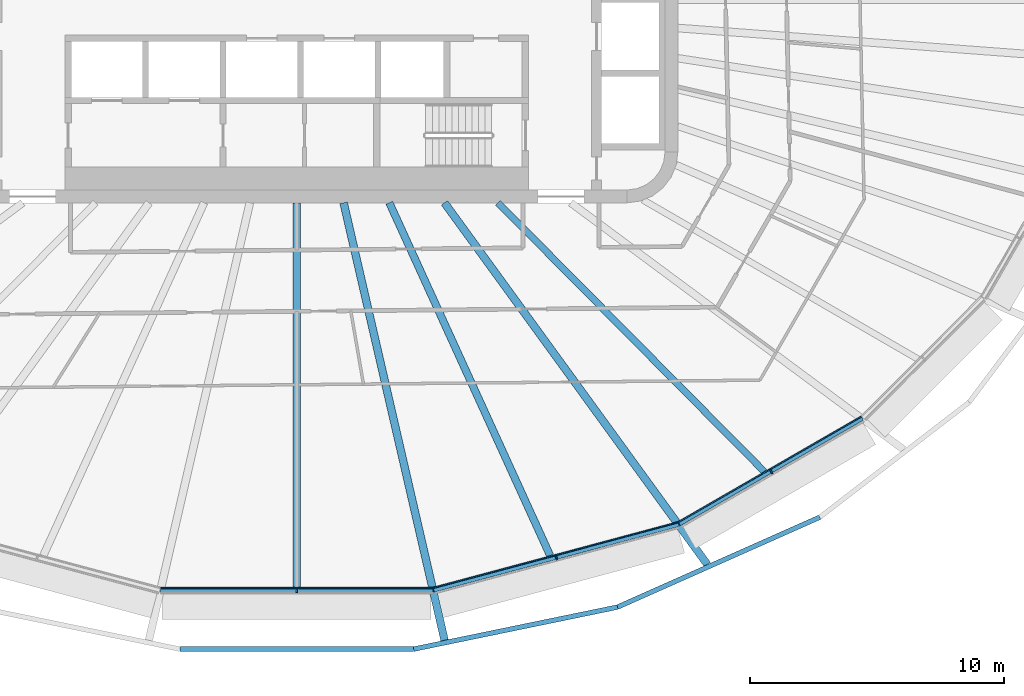
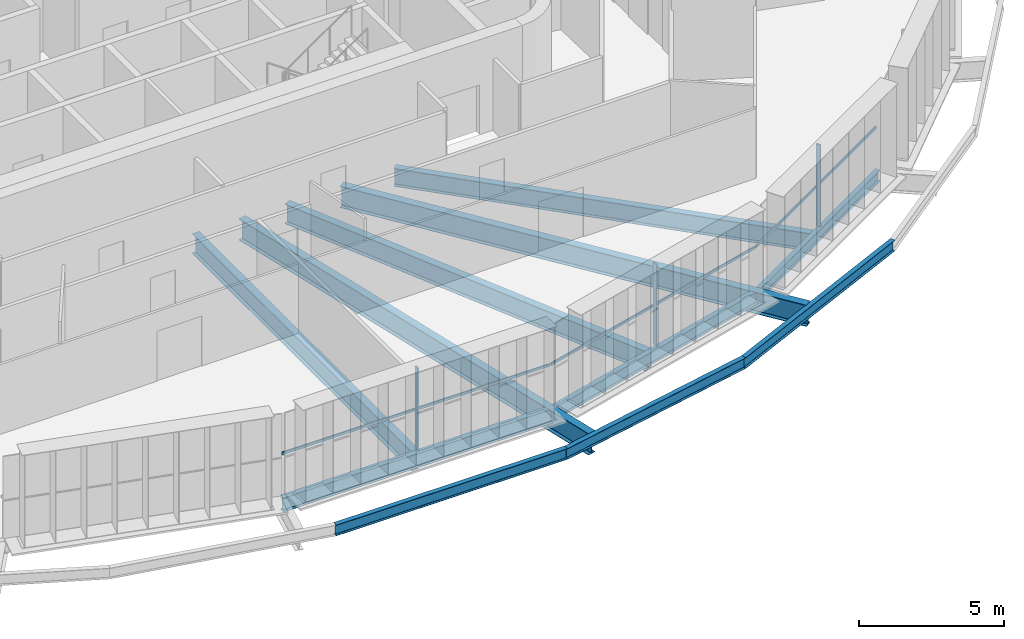
# One storey, part 3 of 23: 11 beams, 6 members, 3 elements without a shape of their own.
"""IFC4 building model written with IfcOpenShell, lengths in metres."""

from ifc_helpers import new_model, si_unit, direction, frame, origin, origin_2d, place, context, subcontext, project, spatial, rectangle, i_section, extrude, material, layer, layer_set, material_profile, profile_set, type_object, element, aggregate, save


model = new_model("IFC4")

# Units and contexts
model_context = context("Model", 3, precision=1e-05, world=origin(), true_north=direction((0.0, 1.0)))
body_context = subcontext(model_context, "Body", "Model", "MODEL_VIEW")
ifc_project = project(units=[si_unit("LENGTHUNIT", "METRE"), si_unit("AREAUNIT", "SQUARE_METRE"), si_unit("VOLUMEUNIT", "CUBIC_METRE"), si_unit("PLANEANGLEUNIT", "RADIAN"), si_unit("MASSUNIT", "GRAM", prefix="KILO")], contexts=[model_context])

# Site, building, storey
site_placement = place(None, origin())
site = spatial("IfcSite", under=ifc_project, at=site_placement, CompositionType="ELEMENT")
building_placement = place(site_placement, origin())
building = spatial("IfcBuilding", under=site, at=building_placement, Name="Sahrelin Media Tower", CompositionType="ELEMENT")
storey_placement = place(building_placement, frame((0.0, 0.0, 173.60009765625)))
storey = spatial("IfcBuildingStorey", under=building, at=storey_placement, Name="L36", CompositionType="ELEMENT", Elevation=173.60009765625)

# Beams
ifc_material_1 = material(Name="Steel S355", Category="steel")
ifc_material_profile_1 = material_profile(ifc_material_1, i_section(OverallWidth=0.1904296875, OverallDepth=0.45703125, WebThickness=0.009033203125, FlangeThickness=0.014404296875, FilletRadius=0.01025390625, at=origin_2d()), Name="UB 457x191x74")
ifc_profile_set_1 = profile_set([ifc_material_profile_1], Name="Steel S355")
beam_type_1 = type_object("IfcBeamType", Name="Edge beam EB5", PredefinedType="BEAM", material=ifc_profile_set_1)
beam_1_placement = place(storey_placement, frame((22.25732421875, -16.47021484375, -0.378662109375), z_axis=(-0.866025246697, -0.500000272083, 0.0), x_axis=(0.500000272083, -0.866025246697, 0.0)))
element("IfcBeam", 1, at=beam_1_placement, inside=storey, type_object=beam_type_1, Name="Edge beam L36-05", PredefinedType="BEAM", context=body_context, shape_type="SweptSolid", body=[
    extrude(i_section(OverallWidth=0.1904296875, OverallDepth=0.45703125, WebThickness=0.009033203125, FlangeThickness=0.014404296875, FilletRadius=0.01025390625, at=origin_2d()), origin(), (0.0, 0.0, 1.0), 8.31689453125),
])
ifc_material_profile_2 = material_profile(ifc_material_1, i_section(OverallWidth=0.208740234375, OverallDepth=0.5283203125, WebThickness=0.009521484375, FlangeThickness=0.01318359375, FilletRadius=0.0126953125, at=origin_2d()), Name="UB 533x210x82")
ifc_profile_set_2 = profile_set([ifc_material_profile_2], Name="Steel S355")
beam_type_2 = type_object("IfcBeamType", Name="Edge beam EB6", PredefinedType="BEAM", material=ifc_profile_set_2)
beam_2_placement = place(storey_placement, frame((15.028076171875, -20.6396484375, -0.414306640625), z_axis=(-0.965925666442, -0.25881964166, 0.0), x_axis=(0.25881964166, -0.965925666442, 0.0)))
element("IfcBeam", 2, at=beam_2_placement, inside=storey, type_object=beam_type_2, Name="Edge beam L36-06", PredefinedType="BEAM", context=body_context, shape_type="SweptSolid", body=[
    extrude(i_section(OverallWidth=0.208740234375, OverallDepth=0.5283203125, WebThickness=0.009521484375, FlangeThickness=0.01318359375, FilletRadius=0.0126953125, at=origin_2d()), origin(), (0.0, 0.0, 1.0), 9.97998046875),
])
ifc_material_profile_3 = material_profile(ifc_material_1, i_section(OverallWidth=0.2275390625, OverallDepth=0.6025390625, WebThickness=0.010498046875, FlangeThickness=0.014892578125, FilletRadius=0.0126953125, at=origin_2d()), Name="UB 610x229x101")
ifc_profile_set_3 = profile_set([ifc_material_profile_3], Name="Steel S355")
beam_type_3 = type_object("IfcBeamType", Name="Edge beam EB7", PredefinedType="BEAM", material=ifc_profile_set_3)
beam_3_placement = place(storey_placement, frame((5.359619140625, -23.226318359375, -0.451416015625), z_axis=(-1.0, 0.0, 0.0), x_axis=(0.0, -1.0, 0.0)))
element("IfcBeam", 3, at=beam_3_placement, inside=storey, type_object=beam_type_3, Name="Edge beam L36-07", PredefinedType="BEAM", context=body_context, shape_type="SweptSolid", body=[
    extrude(i_section(OverallWidth=0.2275390625, OverallDepth=0.6025390625, WebThickness=0.010498046875, FlangeThickness=0.014892578125, FilletRadius=0.0126953125, at=origin_2d()), origin(), (0.0, 0.0, 1.0), 10.71923828125),
])

# Curtain wall, member
ifc_material_2 = material(Name="Champagne anodised aluminium 6063-T6", Category="aluminium")
ifc_layer = layer(ifc_material_2, 0.14990234375)
ifc_layer_set = layer_set([ifc_layer], Name="Tower ribbon curtain wall")
curtain_wall_type = type_object("IfcCurtainWallType", Name="Tower ribbon curtain wall", PredefinedType="NOTDEFINED", material=ifc_layer_set)
curtain_wall_1_placement = place(storey_placement, frame((0.0, -23.37646484375, 0.0), z_axis=(0.0, 0.0, 1.0), x_axis=(1.0, 0.0, 0.0)))
curtain_wall_1 = element("IfcCurtainWall", 4, at=curtain_wall_1_placement, inside=storey, type_object=curtain_wall_type, Name="L36:CW:L36-18", PredefinedType="NOTDEFINED")
ifc_material_profile_4 = material_profile(ifc_material_2, rectangle(XDim=0.06005859375, YDim=0.175048828125, at=origin_2d()), Name="Mullion 60x175")
ifc_profile_set_4 = profile_set([ifc_material_profile_4], Name="Champagne anodised aluminium 6063-T6")
member_type_1 = type_object("IfcMemberType", Name="Mullion 60x175 CW1B", PredefinedType="MULLION", material=ifc_profile_set_4)
member_1_placement = place(storey_placement, frame((0.0, -23.268798828125, 0.0), z_axis=(0.0, 0.0, 1.0), x_axis=(1.0, 0.0, 0.0)))
member_1 = element("IfcMember", 5, at=member_1_placement, type_object=member_type_1, Name="L36:CWM:L36-18", PredefinedType="MULLION", context=body_context, shape_type="SweptSolid", body=[
    extrude(rectangle(XDim=0.06005859375, YDim=0.175048828125, at=origin_2d()), origin(), (0.0, 0.0, 1.0), 3.448486328125),
])

curtain_wall_2_placement = place(storey_placement, frame((10.246826171875, -22.075927734375, 0.0), z_axis=(0.0, 0.0, 1.0), x_axis=(1.0, 0.0, 0.0)))
curtain_wall_2 = element("IfcCurtainWall", 6, at=curtain_wall_2_placement, inside=storey, type_object=curtain_wall_type, Name="L36:CW:L36-19", PredefinedType="NOTDEFINED")
member_2_placement = place(storey_placement, frame((10.218994140625, -21.97216796875, 0.0), z_axis=(0.0, 0.0, 1.0), x_axis=(0.965925374563, 0.258820730961, 0.0)))
member_2 = element("IfcMember", 7, at=member_2_placement, type_object=member_type_1, Name="L36:CWM:L36-19", PredefinedType="MULLION", context=body_context, shape_type="SweptSolid", body=[
    extrude(rectangle(XDim=0.06005859375, YDim=0.175048828125, at=origin_2d()), origin(), (0.0, 0.0, 1.0), 3.448486328125),
])

curtain_wall_3_placement = place(storey_placement, frame((18.73095703125, -18.67919921875, 0.0), z_axis=(0.0, 0.0, 1.0), x_axis=(1.0, 0.0, 0.0)))
curtain_wall_3 = element("IfcCurtainWall", 8, at=curtain_wall_3_placement, inside=storey, type_object=curtain_wall_type, Name="L36:CW:L36-20", PredefinedType="NOTDEFINED")
member_3_placement = place(storey_placement, frame((18.67724609375, -18.586181640625, 0.0), z_axis=(0.0, 0.0, 1.0), x_axis=(0.866027149108, 0.499996976998, 0.0)))
member_3 = element("IfcMember", 9, at=member_3_placement, type_object=member_type_1, Name="L36:CWM:L36-20", PredefinedType="MULLION", context=body_context, shape_type="SweptSolid", body=[
    extrude(rectangle(XDim=0.06005859375, YDim=0.175048828125, at=origin_2d()), origin(), (0.0, 0.0, 1.0), 3.448486328125),
])

# Beams
ifc_material_profile_5 = material_profile(ifc_material_1, i_section(OverallWidth=0.30322265625, OverallDepth=0.903076171875, WebThickness=0.01513671875, FlangeThickness=0.020263671875, FilletRadius=0.01904296875, at=origin_2d()), Name="UB 914x305x201")
ifc_profile_set_5 = profile_set([ifc_material_profile_5], Name="Steel S355")
beam_type_4 = type_object("IfcBeamType", Name="Radial primary beam PB11", PredefinedType="BEAM", material=ifc_profile_set_5)
beam_4_placement = place(storey_placement, frame((1.845947265625, -8.0, -0.6015625), z_axis=(0.2248342816, -0.974397016527, 0.0), x_axis=(0.974397016527, 0.2248342816, 0.0)))
element("IfcBeam", 10, at=beam_4_placement, inside=storey, type_object=beam_type_4, Name="Radial beam L36-19", PredefinedType="BEAM", context=body_context, shape_type="SweptSolid", body=[
    extrude(i_section(OverallWidth=0.30322265625, OverallDepth=0.903076171875, WebThickness=0.01513671875, FlangeThickness=0.020263671875, FilletRadius=0.01904296875, at=origin_2d()), origin(), (0.0, 0.0, 1.0), 17.67138671875),
])
beam_5_placement = place(storey_placement, frame((5.814453125, -8.0, -0.6015625), z_axis=(0.587929171174, -0.808912411626, 0.0), x_axis=(0.808912411626, 0.587929171174, 0.0)))
element("IfcBeam", 11, at=beam_5_placement, inside=storey, type_object=beam_type_4, Name="Radial beam L36-20", PredefinedType="BEAM", context=body_context, shape_type="SweptSolid", body=[
    extrude(i_section(OverallWidth=0.30322265625, OverallDepth=0.903076171875, WebThickness=0.01513671875, FlangeThickness=0.020263671875, FilletRadius=0.01904296875, at=origin_2d()), origin(), (0.0, 0.0, 1.0), 17.599365234375),
])
ifc_material_profile_6 = material_profile(ifc_material_1, i_section(OverallWidth=0.291748046875, OverallDepth=0.8349609375, WebThickness=0.013916015625, FlangeThickness=0.018798828125, FilletRadius=0.017822265625, at=origin_2d()), Name="UB 838x292x176")
ifc_profile_set_6 = profile_set([ifc_material_profile_6], Name="Steel S355")
beam_type_5 = type_object("IfcBeamType", Name="Radial secondary beam SB10", PredefinedType="BEAM", material=ifc_profile_set_6)
beam_6_placement = place(storey_placement, frame((0.0, -8.0, -0.567626953125), z_axis=(0.0, -1.0, 0.0), x_axis=(1.0, 0.0, 0.0)))
element("IfcBeam", 12, at=beam_6_placement, inside=storey, type_object=beam_type_5, Name="Secondary beam L36-14", PredefinedType="BEAM", context=body_context, shape_type="SweptSolid", body=[
    extrude(i_section(OverallWidth=0.291748046875, OverallDepth=0.8349609375, WebThickness=0.013916015625, FlangeThickness=0.018798828125, FilletRadius=0.017822265625, at=origin_2d()), origin(), (0.0, 0.0, 1.0), 15.112548828125),
])
beam_7_placement = place(storey_placement, frame((3.64599609375, -8.0, -0.567626953125), z_axis=(0.414721240901, -0.909948510821, 0.0), x_axis=(0.909948510821, 0.414721240901, 0.0)))
element("IfcBeam", 13, at=beam_7_placement, inside=storey, type_object=beam_type_5, Name="Secondary beam L36-15", PredefinedType="BEAM", context=body_context, shape_type="SweptSolid", body=[
    extrude(i_section(OverallWidth=0.291748046875, OverallDepth=0.8349609375, WebThickness=0.013916015625, FlangeThickness=0.018798828125, FilletRadius=0.017822265625, at=origin_2d()), origin(), (0.0, 0.0, 1.0), 15.260009765625),
])
ifc_material_profile_7 = material_profile(ifc_material_1, i_section(OverallWidth=0.26513671875, OverallDepth=0.75390625, WebThickness=0.0126953125, FlangeThickness=0.017578125, FilletRadius=0.0166015625, at=origin_2d()), Name="UB 762x267x147")
ifc_profile_set_7 = profile_set([ifc_material_profile_7], Name="Steel S355")
beam_type_6 = type_object("IfcBeamType", Name="Radial secondary beam SB9", PredefinedType="BEAM", material=ifc_profile_set_7)
beam_8_placement = place(storey_placement, frame((7.923583984375, -8.0, -0.527099609375), z_axis=(0.703714258153, -0.710483105269, 0.0), x_axis=(0.710483105269, 0.703714258153, 0.0)))
element("IfcBeam", 14, at=beam_8_placement, inside=storey, type_object=beam_type_6, Name="Secondary beam L36-16", PredefinedType="BEAM", context=body_context, shape_type="SweptSolid", body=[
    extrude(i_section(OverallWidth=0.26513671875, OverallDepth=0.75390625, WebThickness=0.0126953125, FlangeThickness=0.017578125, FilletRadius=0.0166015625, at=origin_2d()), origin(), (0.0, 0.0, 1.0), 14.896240234375),
])
ifc_material_profile_8 = material_profile(ifc_material_1, i_section(OverallWidth=0.1904296875, OverallDepth=0.45703125, WebThickness=0.009033203125, FlangeThickness=0.014404296875, FilletRadius=0.01025390625, at=origin_2d()), Name="UB 457x191x74")
ifc_profile_set_8 = profile_set([ifc_material_profile_8], Name="Steel S355")
beam_type_7 = type_object("IfcBeamType", Name="Tie chord TC5", PredefinedType="BEAM", material=ifc_profile_set_8)
beam_9_placement = place(storey_placement, frame((-4.6015625, -25.567138671875, -0.378662109375), z_axis=(1.0, 0.0, 0.0), x_axis=(0.0, 1.0, 0.0)))
element("IfcBeam", 15, at=beam_9_placement, inside=storey, type_object=beam_type_7, Name="Tie chord L36-18", PredefinedType="BEAM", context=body_context, shape_type="SweptSolid", body=[
    extrude(i_section(OverallWidth=0.1904296875, OverallDepth=0.45703125, WebThickness=0.009033203125, FlangeThickness=0.014404296875, FilletRadius=0.01025390625, at=origin_2d()), origin(), (0.0, 0.0, 1.0), 9.203125),
])
beam_10_placement = place(storey_placement, frame((4.6015625, -25.567138671875, -0.378662109375), z_axis=(0.979391540404, 0.201970816172, 0.0), x_axis=(-0.201970816172, 0.979391540404, 0.0)))
element("IfcBeam", 16, at=beam_10_placement, inside=storey, type_object=beam_type_7, Name="Tie chord L36-19", PredefinedType="BEAM", context=body_context, shape_type="SweptSolid", body=[
    extrude(i_section(OverallWidth=0.1904296875, OverallDepth=0.45703125, WebThickness=0.009033203125, FlangeThickness=0.014404296875, FilletRadius=0.01025390625, at=origin_2d()), origin(), (0.0, 0.0, 1.0), 8.190673828125),
])
beam_11_placement = place(storey_placement, frame((12.62353515625, -23.912841796875, -0.378662109375), z_axis=(0.913835787725, 0.406083923682, 0.0), x_axis=(-0.406083923682, 0.913835787725, 0.0)))
element("IfcBeam", 17, at=beam_11_placement, inside=storey, type_object=beam_type_7, Name="Tie chord L36-20", PredefinedType="BEAM", context=body_context, shape_type="SweptSolid", body=[
    extrude(i_section(OverallWidth=0.1904296875, OverallDepth=0.45703125, WebThickness=0.009033203125, FlangeThickness=0.014404296875, FilletRadius=0.01025390625, at=origin_2d()), origin(), (0.0, 0.0, 1.0), 8.7216796875),
])

# Member
ifc_material_profile_9 = material_profile(ifc_material_2, rectangle(XDim=0.050048828125, YDim=0.110107421875, at=origin_2d()), Name="Transom 50x110")
ifc_profile_set_9 = profile_set([ifc_material_profile_9], Name="Champagne anodised aluminium 6063-T6")
member_type_2 = type_object("IfcMemberType", Name="Transom 50x110 CW1B", PredefinedType="USERDEFINED", material=ifc_profile_set_9)
member_4_placement = place(storey_placement, frame((-5.343994140625, -23.156494140625, 1.599853515625), z_axis=(1.0, 0.0, 0.0), x_axis=(0.0, 1.0, 0.0)))
member_4 = element("IfcMember", 18, at=member_4_placement, type_object=member_type_2, Name="L36:CWT:L36-18", ObjectType="TRANSOM", PredefinedType="USERDEFINED", context=body_context, shape_type="SweptSolid", body=[
    extrude(rectangle(XDim=0.050048828125, YDim=0.110107421875, at=origin_2d()), origin(), (0.0, 0.0, 1.0), 10.68798828125),
])

aggregate(curtain_wall_1, [member_1, member_4])

member_5_placement = place(storey_placement, frame((5.385498046875, -23.15087890625, 1.599853515625), z_axis=(0.965927128599, 0.258814184766, 0.0), x_axis=(-0.258814184766, 0.965927128599, 0.0)))
member_5 = element("IfcMember", 19, at=member_5_placement, type_object=member_type_2, Name="L36:CWT:L36-19", ObjectType="TRANSOM", PredefinedType="USERDEFINED", context=body_context, shape_type="SweptSolid", body=[
    extrude(rectangle(XDim=0.050048828125, YDim=0.110107421875, at=origin_2d()), origin(), (0.0, 0.0, 1.0), 9.947998046875),
])

aggregate(curtain_wall_2, [member_2, member_5])

member_6_placement = place(storey_placement, frame((15.033203125, -20.560302734375, 1.599853515625), z_axis=(0.866024150361, 0.500002170987, 0.0), x_axis=(-0.500002170987, 0.866024150361, 0.0)))
member_6 = element("IfcMember", 20, at=member_6_placement, type_object=member_type_2, Name="L36:CWT:L36-20", ObjectType="TRANSOM", PredefinedType="USERDEFINED", context=body_context, shape_type="SweptSolid", body=[
    extrude(rectangle(XDim=0.050048828125, YDim=0.110107421875, at=origin_2d()), origin(), (0.0, 0.0, 1.0), 8.28564453125),
])

aggregate(curtain_wall_3, [member_3, member_6])

save(model, "model.ifc")
